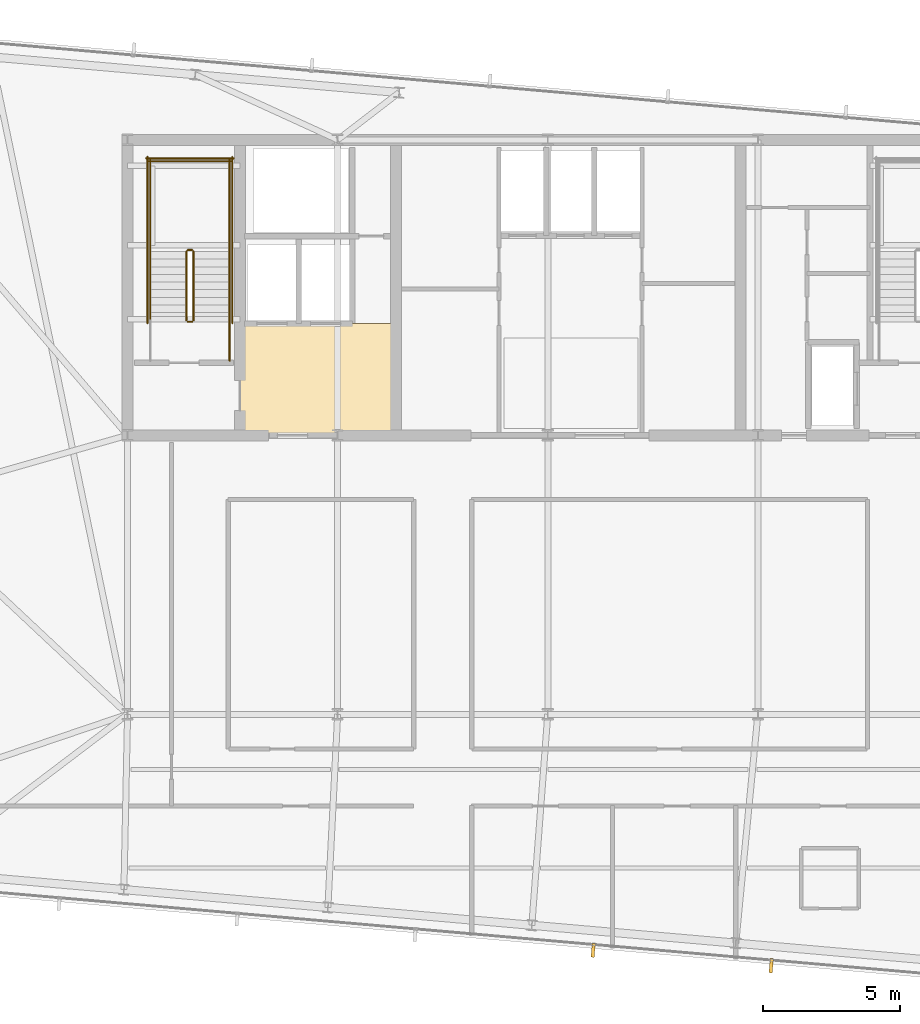
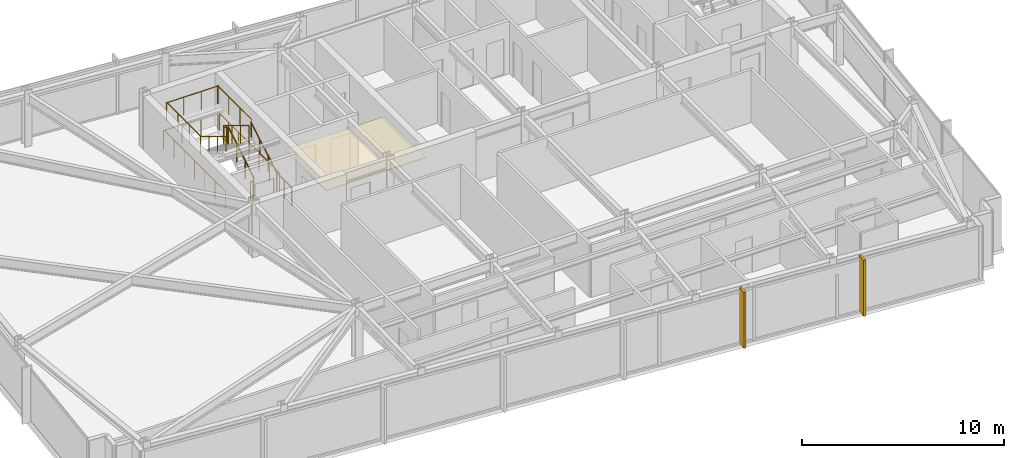
# One storey, part 30 of 32: 13 railings, 2 shading devices, 1 covering.
"""IFC4 building model written with IfcOpenShell, lengths in metres."""

from ifc_helpers import new_model, si_unit, direction, frame, origin, origin_2d, place, context, subcontext, project, spatial, polyline, rectangle, circle, outline, extrude, material, layer, layer_set, type_object, element, save


model = new_model("IFC4")

# Units and contexts
model_context = context("Model", 3, precision=1e-05, world=origin(), true_north=direction((0.0, 1.0)))
body_context = subcontext(model_context, "Body", "Model", "MODEL_VIEW")
ifc_project = project(units=[si_unit("LENGTHUNIT", "METRE"), si_unit("AREAUNIT", "SQUARE_METRE"), si_unit("VOLUMEUNIT", "CUBIC_METRE"), si_unit("PLANEANGLEUNIT", "RADIAN"), si_unit("MASSUNIT", "GRAM", prefix="KILO")], contexts=[model_context])

# Site, building, storey
site_placement = place(None, origin())
site = spatial("IfcSite", under=ifc_project, at=site_placement, CompositionType="ELEMENT")
building_placement = place(site_placement, origin())
building = spatial("IfcBuilding", under=site, at=building_placement, Name="Yelkora Congress Tower", CompositionType="ELEMENT")
storey_placement = place(building_placement, frame((0.0, 0.0, 276.10009765625)))
storey = spatial("IfcBuildingStorey", under=building, at=storey_placement, Name="L77", CompositionType="ELEMENT", Elevation=276.10009765625)

# Covering
ifc_material_1 = material(Name="Perforated mineral-fibre acoustic ceiling", Category="gypsum")
ifc_layer_1 = layer(ifc_material_1, 0.0400390625)
ifc_layer_set_1 = layer_set([ifc_layer_1], Name="Perforated mineral-fibre acoustic ceiling")
covering_type = type_object("IfcCoveringType", Name="COV-CEIL-ACOUSTIC-40", PredefinedType="CEILING", material=ifc_layer_set_1)
covering_placement = place(storey_placement, frame((0.0, 0.0, 2.39990234375)))
element("IfcCovering", 1, at=covering_placement, inside=storey, type_object=covering_type, Name="L77 Firefighting Lobby Acoustic Ceiling", PredefinedType="CEILING", context=body_context, shape_type="SweptSolid", body=[
    extrude(outline(polyline([(27.14990234375, 35.39990234375), (32.85009765625, 35.39990234375), (32.85009765625, 39.47998046875), (27.14990234375, 39.47998046875), (27.14990234375, 35.39990234375)])), origin(), (0.0, 0.0, 1.0), 0.0400390625),
])

# Railings
ifc_material_2 = material(Name="Painted galvanised steel stair well guard with vertical infill", Category="steel")
ifc_layer_2 = layer(ifc_material_2, 0.06005859375)
ifc_layer_set_2 = layer_set([ifc_layer_2], Name="Painted galvanised steel stair well guard with vertical infill")
railing_type_1 = type_object("IfcRailingType", Name="RAIL-STAIR-GUARD-1120", PredefinedType="GUARDRAIL", material=ifc_layer_set_2)
railing_1_placement = place(storey_placement, frame((25.449951171875, 39.60009765625, 0.169921875)))
element("IfcRailing", 2, at=railing_1_placement, inside=storey, type_object=railing_type_1, Name="ST-01 L77 Stair Well Guardrail 1", PredefinedType="GUARDRAIL", context=body_context, shape_type="SweptSolid", body=[
    extrude(circle(Radius=0.02392578125, at=origin_2d()), frame((0.0, 0.0, 1.09619140625), z_axis=(0.0, 0.85478489116, 0.518982456201), x_axis=(-1.0, 0.0, 0.0)), (0.0, 0.0, 1.0), 2.9482421875),
    extrude(circle(Radius=0.02099609375, at=origin_2d()), origin(), (0.0, 0.0, 1.0), 1.072021484375),
    extrude(circle(Radius=0.02099609375, at=origin_2d()), frame((0.0, 0.840087890625, 0.510009765625)), (0.0, 0.0, 1.0), 1.072021484375),
    extrude(circle(Radius=0.02099609375, at=origin_2d()), frame((0.0, 1.679931640625, 1.02001953125)), (0.0, 0.0, 1.0), 1.072021484375),
    extrude(circle(Radius=0.02099609375, at=origin_2d()), frame((0.0, 2.52001953125, 1.530029296875)), (0.0, 0.0, 1.0), 1.072021484375),
])
railing_2_placement = place(storey_placement, frame((25.39990234375, 42.169921875, 1.699951171875)))
element("IfcRailing", 3, at=railing_2_placement, inside=storey, type_object=railing_type_1, Name="ST-01 L77 Stair Well Guardrail 2", PredefinedType="GUARDRAIL", context=body_context, shape_type="SweptSolid", body=[
    extrude(circle(Radius=0.02392578125, at=origin_2d()), frame((0.0, 0.0, 1.09619140625), z_axis=(-1.0, 0.0, 0.0), x_axis=(0.0, -1.0, 0.0)), (0.0, 0.0, 1.0), 0.159912109375),
    extrude(circle(Radius=0.02099609375, at=origin_2d()), origin(), (0.0, 0.0, 1.0), 1.072021484375),
    extrude(circle(Radius=0.02099609375, at=origin_2d()), frame((-0.159912109375, 0.0, 0.0)), (0.0, 0.0, 1.0), 1.072021484375),
])
for number, where, name in (
    (4, (26.77001953125, 42.1201171875, 1.699951171875), "ST-01 L77 Stair Well Guardrail 3"),
    (5, (23.8701171875, 42.1201171875, 1.699951171875), "ST-01 L77 Stair Well Guardrail 4"),
):
    element("IfcRailing", number, at=place(storey_placement, frame(where)), inside=storey, type_object=railing_type_1, Name=name, PredefinedType="GUARDRAIL", context=body_context, shape_type="SweptSolid", body=[
        extrude(circle(Radius=0.02392578125, at=origin_2d()), frame((0.0, 0.0, 1.09619140625), z_axis=(0.0, 1.0, 0.0), x_axis=(-1.0, 0.0, 0.0)), (0.0, 0.0, 1.0), 3.349853515625),
        extrude(circle(Radius=0.02099609375, at=origin_2d()), origin(), (0.0, 0.0, 1.0), 1.072021484375),
        extrude(circle(Radius=0.02099609375, at=origin_2d()), frame((0.0, 1.11669921875, 0.0)), (0.0, 0.0, 1.0), 1.072021484375),
        extrude(circle(Radius=0.02099609375, at=origin_2d()), frame((0.0, 2.233154296875, 0.0)), (0.0, 0.0, 1.0), 1.072021484375),
        extrude(circle(Radius=0.02099609375, at=origin_2d()), frame((0.0, 3.349853515625, 0.0)), (0.0, 0.0, 1.0), 1.072021484375),
    ])
railing_3_placement = place(storey_placement, frame((26.820068359375, 45.419921875, 1.699951171875)))
element("IfcRailing", 6, at=railing_3_placement, inside=storey, type_object=railing_type_1, Name="ST-01 L77 Stair Well Guardrail 5", PredefinedType="GUARDRAIL", context=body_context, shape_type="SweptSolid", body=[
    extrude(circle(Radius=0.02392578125, at=origin_2d()), frame((0.0, 0.0, 1.09619140625), z_axis=(-1.0, 0.0, 0.0), x_axis=(0.0, -1.0, 0.0)), (0.0, 0.0, 1.0), 3.0),
    extrude(circle(Radius=0.02099609375, at=origin_2d()), origin(), (0.0, 0.0, 1.0), 1.072021484375),
    extrude(circle(Radius=0.02099609375, at=origin_2d()), frame((-1.0, 0.0, 0.0)), (0.0, 0.0, 1.0), 1.072021484375),
    extrude(circle(Radius=0.02099609375, at=origin_2d()), frame((-2.0, 0.0, 0.0)), (0.0, 0.0, 1.0), 1.072021484375),
    extrude(circle(Radius=0.02099609375, at=origin_2d()), frame((-3.0, 0.0, 0.0)), (0.0, 0.0, 1.0), 1.072021484375),
])
railing_4_placement = place(storey_placement, frame((25.18994140625, 42.1201171875, 1.869873046875)))
element("IfcRailing", 7, at=railing_4_placement, inside=storey, type_object=railing_type_1, Name="ST-01 L77 Stair Well Guardrail 6", PredefinedType="GUARDRAIL", context=body_context, shape_type="SweptSolid", body=[
    extrude(circle(Radius=0.02392578125, at=origin_2d()), frame((0.0, 0.0, 1.09619140625), z_axis=(0.0, -0.85478489116, 0.518982456201), x_axis=(1.0, 0.0, 0.0)), (0.0, 0.0, 1.0), 2.9482421875),
    extrude(circle(Radius=0.02099609375, at=origin_2d()), origin(), (0.0, 0.0, 1.0), 1.072021484375),
    extrude(circle(Radius=0.02099609375, at=origin_2d()), frame((0.0, -0.840087890625, 0.510009765625)), (0.0, 0.0, 1.0), 1.072021484375),
    extrude(circle(Radius=0.02099609375, at=origin_2d()), frame((0.0, -1.679931640625, 1.02001953125)), (0.0, 0.0, 1.0), 1.072021484375),
    extrude(circle(Radius=0.02099609375, at=origin_2d()), frame((0.0, -2.52001953125, 1.530029296875)), (0.0, 0.0, 1.0), 1.072021484375),
])
railing_5_placement = place(storey_placement, frame((25.39990234375, 39.550048828125, 0.0)))
element("IfcRailing", 8, at=railing_5_placement, inside=storey, type_object=railing_type_1, Name="ST-01 L77 Stair Well Guardrail 7", PredefinedType="GUARDRAIL", context=body_context, shape_type="SweptSolid", body=[
    extrude(circle(Radius=0.02392578125, at=origin_2d()), frame((0.0, 0.0, 1.09619140625), z_axis=(-1.0, 0.0, 0.0), x_axis=(0.0, -1.0, 0.0)), (0.0, 0.0, 1.0), 0.159912109375),
    extrude(circle(Radius=0.02099609375, at=origin_2d()), origin(), (0.0, 0.0, 1.0), 1.072021484375),
    extrude(circle(Radius=0.02099609375, at=origin_2d()), frame((-0.159912109375, 0.0, 0.0)), (0.0, 0.0, 1.0), 1.072021484375),
])
railing_6_placement = place(storey_placement, frame((26.77001953125, 38.1201171875, 0.0)))
element("IfcRailing", 9, at=railing_6_placement, inside=storey, type_object=railing_type_1, Name="ST-01 L77 Stair Well Guardrail 8", PredefinedType="GUARDRAIL", context=body_context, shape_type="SweptSolid", body=[
    extrude(circle(Radius=0.02392578125, at=origin_2d()), frame((0.0, 0.0, 1.09619140625), z_axis=(0.0, 1.0, 0.0), x_axis=(-1.0, 0.0, 0.0)), (0.0, 0.0, 1.0), 1.47998046875),
    extrude(circle(Radius=0.02099609375, at=origin_2d()), origin(), (0.0, 0.0, 1.0), 1.072021484375),
    extrude(circle(Radius=0.02099609375, at=origin_2d()), frame((0.0, 0.739990234375, 0.0)), (0.0, 0.0, 1.0), 1.072021484375),
    extrude(circle(Radius=0.02099609375, at=origin_2d()), frame((0.0, 1.47998046875, 0.0)), (0.0, 0.0, 1.0), 1.072021484375),
])
for number, where, name in (
    (10, (26.8701171875, 39.5, 0.0), "ST-01 L77 Stair Well Guardrail 10"),
    (11, (23.77001953125, 39.5, 0.0), "ST-01 L77 Stair Well Guardrail 11"),
):
    element("IfcRailing", number, at=place(storey_placement, frame(where)), inside=storey, type_object=railing_type_1, Name=name, PredefinedType="GUARDRAIL", context=body_context, shape_type="SweptSolid", body=[
        extrude(circle(Radius=0.02392578125, at=origin_2d()), frame((0.0, 0.0, 1.09619140625), z_axis=(0.0, 1.0, 0.0), x_axis=(-1.0, 0.0, 0.0)), (0.0, 0.0, 1.0), 6.070068359375),
        extrude(circle(Radius=0.02099609375, at=origin_2d()), origin(), (0.0, 0.0, 1.0), 1.072021484375),
        extrude(circle(Radius=0.02099609375, at=origin_2d()), frame((0.0, 1.01171875, 0.0)), (0.0, 0.0, 1.0), 1.072021484375),
        extrude(circle(Radius=0.02099609375, at=origin_2d()), frame((0.0, 2.0234375, 0.0)), (0.0, 0.0, 1.0), 1.072021484375),
        extrude(circle(Radius=0.02099609375, at=origin_2d()), frame((0.0, 3.03515625, 0.0)), (0.0, 0.0, 1.0), 1.072021484375),
        extrude(circle(Radius=0.02099609375, at=origin_2d()), frame((0.0, 4.046630859375, 0.0)), (0.0, 0.0, 1.0), 1.072021484375),
        extrude(circle(Radius=0.02099609375, at=origin_2d()), frame((0.0, 5.058349609375, 0.0)), (0.0, 0.0, 1.0), 1.072021484375),
        extrude(circle(Radius=0.02099609375, at=origin_2d()), frame((0.0, 6.070068359375, 0.0)), (0.0, 0.0, 1.0), 1.072021484375),
    ])
railing_7_placement = place(storey_placement, frame((26.919921875, 45.52001953125, 0.0)))
element("IfcRailing", 12, at=railing_7_placement, inside=storey, type_object=railing_type_1, Name="ST-01 L77 Stair Well Guardrail 12", PredefinedType="GUARDRAIL", context=body_context, shape_type="SweptSolid", body=[
    extrude(circle(Radius=0.02392578125, at=origin_2d()), frame((0.0, 0.0, 1.09619140625), z_axis=(-1.0, 0.0, 0.0), x_axis=(0.0, -1.0, 0.0)), (0.0, 0.0, 1.0), 3.199951171875),
    extrude(circle(Radius=0.02099609375, at=origin_2d()), origin(), (0.0, 0.0, 1.0), 1.072021484375),
    extrude(circle(Radius=0.02099609375, at=origin_2d()), frame((-1.066650390625, 0.0, 0.0)), (0.0, 0.0, 1.0), 1.072021484375),
    extrude(circle(Radius=0.02099609375, at=origin_2d()), frame((-2.13330078125, 0.0, 0.0)), (0.0, 0.0, 1.0), 1.072021484375),
    extrude(circle(Radius=0.02099609375, at=origin_2d()), frame((-3.199951171875, 0.0, 0.0)), (0.0, 0.0, 1.0), 1.072021484375),
])
ifc_material_3 = material(Name="Brushed stainless steel tubular handrail", Category="steel")
ifc_layer_3 = layer(ifc_material_3, 0.050048828125)
ifc_layer_set_3 = layer_set([ifc_layer_3], Name="Brushed stainless steel tubular handrail")
railing_type_2 = type_object("IfcRailingType", Name="RAIL-STAIR-HAND-920", PredefinedType="HANDRAIL", material=ifc_layer_set_3)
railing_8_placement = place(storey_placement, frame((26.77001953125, 39.60009765625, 0.169921875)))
element("IfcRailing", 13, at=railing_8_placement, inside=storey, type_object=railing_type_2, Name="ST-01 L77 Pitch Handrail 1", PredefinedType="HANDRAIL", context=body_context, shape_type="SweptSolid", body=[
    extrude(circle(Radius=0.02392578125, at=origin_2d()), frame((0.0, 0.0, 0.89599609375), z_axis=(0.0, 0.85478489116, 0.518982456201), x_axis=(-1.0, 0.0, 0.0)), (0.0, 0.0, 1.0), 2.9482421875),
    extrude(circle(Radius=0.02099609375, at=origin_2d()), origin(), (0.0, 0.0, 1.0), 0.871826171875),
    extrude(circle(Radius=0.02099609375, at=origin_2d()), frame((0.0, 0.840087890625, 0.510009765625)), (0.0, 0.0, 1.0), 0.871826171875),
    extrude(circle(Radius=0.02099609375, at=origin_2d()), frame((0.0, 1.679931640625, 1.02001953125)), (0.0, 0.0, 1.0), 0.871826171875),
    extrude(circle(Radius=0.02099609375, at=origin_2d()), frame((0.0, 2.52001953125, 1.530029296875)), (0.0, 0.0, 1.0), 0.871826171875),
])
railing_9_placement = place(storey_placement, frame((23.8701171875, 42.1201171875, 1.869873046875)))
element("IfcRailing", 14, at=railing_9_placement, inside=storey, type_object=railing_type_2, Name="ST-01 L77 Pitch Handrail 2", PredefinedType="HANDRAIL", context=body_context, shape_type="SweptSolid", body=[
    extrude(circle(Radius=0.02392578125, at=origin_2d()), frame((0.0, 0.0, 0.89599609375), z_axis=(0.0, -0.85478489116, 0.518982456201), x_axis=(1.0, 0.0, 0.0)), (0.0, 0.0, 1.0), 2.9482421875),
    extrude(circle(Radius=0.02099609375, at=origin_2d()), origin(), (0.0, 0.0, 1.0), 0.871826171875),
    extrude(circle(Radius=0.02099609375, at=origin_2d()), frame((0.0, -0.840087890625, 0.510009765625)), (0.0, 0.0, 1.0), 0.871826171875),
    extrude(circle(Radius=0.02099609375, at=origin_2d()), frame((0.0, -1.679931640625, 1.02001953125)), (0.0, 0.0, 1.0), 0.871826171875),
    extrude(circle(Radius=0.02099609375, at=origin_2d()), frame((0.0, -2.52001953125, 1.530029296875)), (0.0, 0.0, 1.0), 0.871826171875),
])

# Shading devices
ifc_material_4 = material(Name="Champagne anodised aluminium", Category="aluminium")
ifc_layer_4 = layer(ifc_material_4, 3.300048828125)
ifc_layer_set_4 = layer_set([ifc_layer_4], Name="Champagne anodised aluminium")
shading_device_type = type_object("IfcShadingDeviceType", Name="SHD-FIN-ALU-520", PredefinedType="USERDEFINED", material=ifc_layer_set_4)
for number, where, z_axis, x_axis, name in (
    (15, (46.567138671875, 16.0107421875, -0.030029296875), (0.0, 0.0, 1.0), (-0.996194698092, 0.087155742748, 0.0), "L77 Vertical Anodised Solar Fin 20-1"),
    (16, (40.060546875, 16.579833984375, -0.030029296875), (0.0, 0.0, 1.0), (-0.996194698092, 0.087155742748, 0.0), "L77 Vertical Anodised Solar Fin 20-2"),
):
    element("IfcShadingDevice", number, at=place(storey_placement, frame(where, z_axis=z_axis, x_axis=x_axis)), inside=storey, type_object=shading_device_type, Name=name, ObjectType="FIN", PredefinedType="USERDEFINED", context=body_context, shape_type="SweptSolid", body=[
        extrude(rectangle(XDim=0.1201171875, YDim=0.52001953125, at=origin_2d()), origin(), (0.0, 0.0, 1.0), 3.3798828125),
    ])

save(model, "model.ifc")
